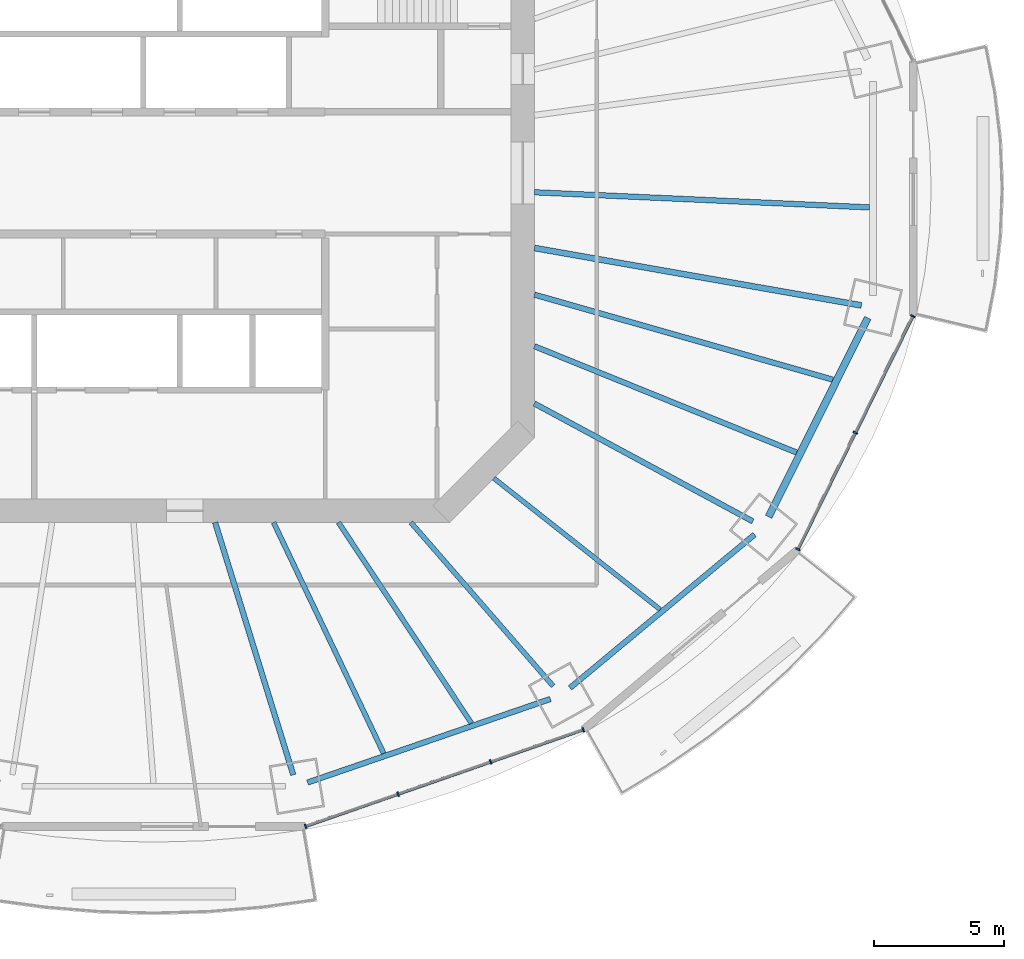
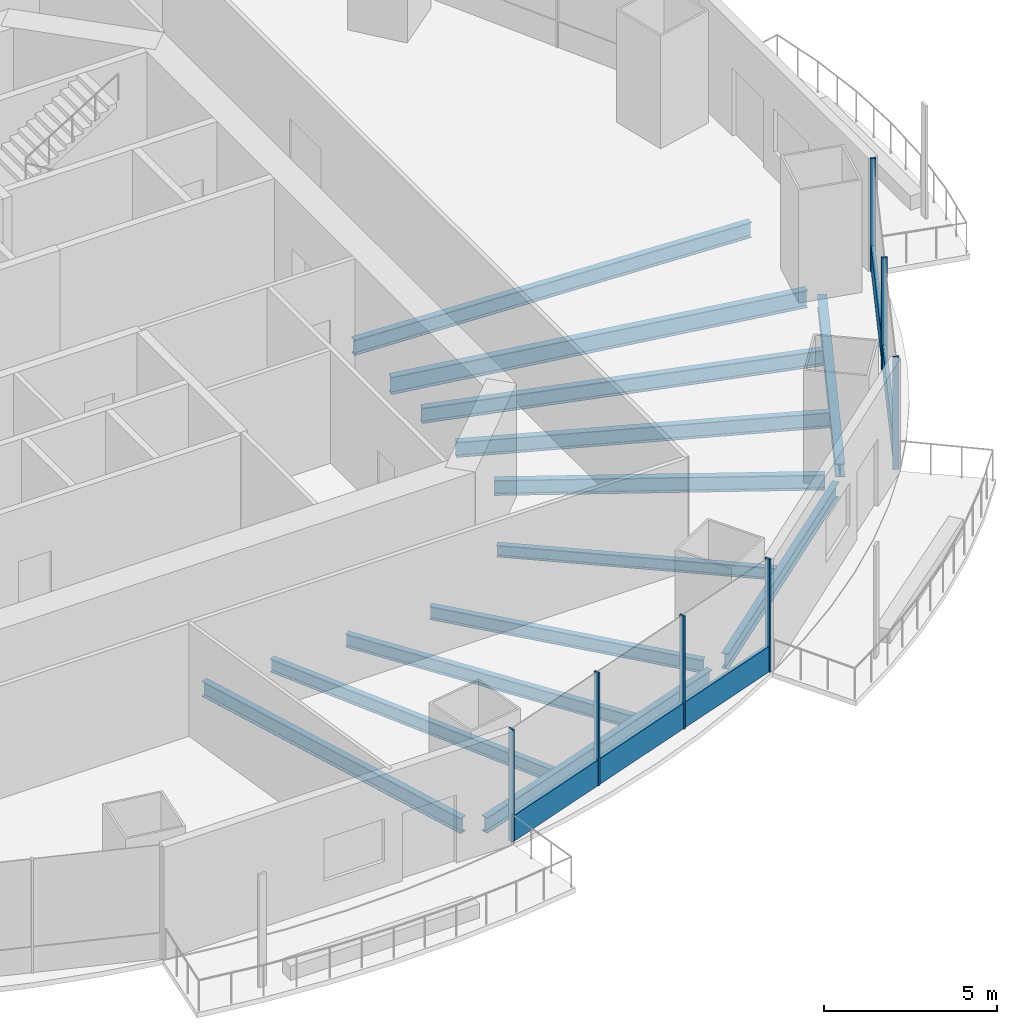
# One storey, part 4 of 19: 13 beams, 9 members, 2 elements without a shape of their own.
"""IFC4 building model written with IfcOpenShell, lengths in metres."""

import ifcopenshell
import ifcopenshell.guid

model = None  # the IFC model being written
_history = None  # IfcOwnerHistory: only IFC2X3 demands one
_inside = {}  # id of a spatial element -> (the spatial element, [elements in it])
_under = {}  # id of a project, library or spatial element -> (it, [spatial elements below it])
_declared = {}  # id of a project -> (the project, [libraries it declares])
_typed = {}  # id of a type object -> (the type object, [elements of that type])
_made_of = {}  # id of a material, layer set ... -> (it, [elements and type objects made of it])


def new_model(schema):
    """Start an empty IFC model of exactly this schema.

    Asked for "IFC4X3", IfcOpenShell would pick the latest addendum, in which some entities
    have other attributes; the version numbers below select the first issue.
    IFC2X3 requires an IfcOwnerHistory on every rooted entity: one is made here for all.
    """
    global model, _history
    if schema == "IFC4X3":
        model = ifcopenshell.file(schema_version=(4, 3, 0, 0))
    else:
        model = ifcopenshell.file(schema=schema)
    _inside.clear()
    _under.clear()
    _declared.clear()
    _typed.clear()
    _made_of.clear()
    _history = None
    if model.schema == "IFC2X3":
        org = make("IfcOrganization", Name="unknown")
        user = make(
            "IfcPersonAndOrganization",
            ThePerson=make("IfcPerson", FamilyName="unknown"),
            TheOrganization=org,
        )
        app = make(
            "IfcApplication",
            ApplicationDeveloper=org,
            Version="unknown",
            ApplicationFullName="unknown",
            ApplicationIdentifier="unknown",
        )
        _history = make(
            "IfcOwnerHistory",
            OwningUser=user,
            OwningApplication=app,
            ChangeAction="ADDED",
            CreationDate=0,
        )
    return model


def make(cls, **values):
    """One entity of the class cls with the attributes given. An attribute that is None is left unset."""
    return model.create_entity(
        cls, **{name: value for name, value in values.items() if value is not None}
    )


def rooted(cls, **values):
    """An entity with a GlobalId (a new one), such as an element, a storey or a relation."""
    return make(cls, GlobalId=ifcopenshell.guid.new(), OwnerHistory=_history, **values)


def si_unit(unit_type, name, prefix=None):
    """IfcSIUnit, for example si_unit("LENGTHUNIT", "METRE", prefix="MILLI")."""
    return make("IfcSIUnit", UnitType=unit_type, Prefix=prefix, Name=name)


def assignment(units):
    """IfcUnitAssignment: the units of a project."""
    return None if units is None else make("IfcUnitAssignment", Units=units)


def point(xyz):
    """IfcCartesianPoint."""
    return None if xyz is None else make("IfcCartesianPoint", Coordinates=xyz)


def direction(xyz):
    """IfcDirection."""
    return None if xyz is None else make("IfcDirection", DirectionRatios=xyz)


def frame(location, z_axis=None, x_axis=None):
    """IfcAxis2Placement3D, a coordinate frame: its origin and axes. An axis left out is left unset."""
    return make(
        "IfcAxis2Placement3D",
        Location=point(location),
        Axis=direction(z_axis),
        RefDirection=direction(x_axis),
    )


def frame_2d(location, x_axis=None):
    """IfcAxis2Placement2D, a coordinate frame in the plane: its origin and x axis."""
    return make(
        "IfcAxis2Placement2D", Location=point(location), RefDirection=direction(x_axis)
    )


def origin():
    """The frame at (0, 0, 0) with its axes left unset."""
    return frame((0.0, 0.0, 0.0))


def origin_2d():
    """The frame at (0, 0) in the plane with its x axis left unset."""
    return frame_2d((0.0, 0.0))


def place(relative_to, where):
    """IfcLocalPlacement: puts the frame where relative to a parent placement (None: the world)."""
    return make(
        "IfcLocalPlacement", PlacementRelTo=relative_to, RelativePlacement=where
    )


def context(
    kind, dimensions, precision=None, world=None, true_north=None, identifier=None
):
    """IfcGeometricRepresentationContext, for example the 3D "Model" context."""
    return make(
        "IfcGeometricRepresentationContext",
        ContextIdentifier=identifier,
        ContextType=kind,
        CoordinateSpaceDimension=dimensions,
        Precision=precision,
        WorldCoordinateSystem=world,
        TrueNorth=true_north,
    )


def subcontext(parent, identifier, kind, view, scale=None):
    """IfcGeometricRepresentationSubContext, for example "Body" below "Model"."""
    return make(
        "IfcGeometricRepresentationSubContext",
        ContextIdentifier=identifier,
        ContextType=kind,
        ParentContext=parent,
        TargetScale=scale,
        TargetView=view,
    )


def project(units=None, contexts=None):
    """IfcProject with its units and contexts."""
    return rooted(
        "IfcProject",
        Name="project",
        RepresentationContexts=contexts,
        UnitsInContext=assignment(units),
    )


def spatial(cls, under=None, at=None, **own):
    """A site, building, storey or space (cls), placed at a placement, below another one or the project."""
    s = rooted(cls, ObjectPlacement=at, **own)
    if under is not None:
        _under.setdefault(under.id(), (under, []))[1].append(s)
    return s


def profile(cls, at=None, kind="AREA", **sizes):
    """A parametric profile (cls). Its sizes go by their IFC names, for example OverallWidth=200.0."""
    return make(cls, ProfileType=kind, Position=at, **sizes)


def rectangle(**sizes):
    """IfcRectangleProfileDef."""
    return profile("IfcRectangleProfileDef", **sizes)


def i_section(**sizes):
    """IfcIShapeProfileDef."""
    return profile("IfcIShapeProfileDef", **sizes)


def extrude(swept, where, along, depth):
    """IfcExtrudedAreaSolid: the profile swept, set in the frame where, extruded along a direction by depth."""
    return make(
        "IfcExtrudedAreaSolid",
        SweptArea=swept,
        Position=where,
        ExtrudedDirection=direction(along),
        Depth=depth,
    )


def shape(context_of_items, identifier, shape_type, items):
    """IfcShapeRepresentation: the items that make up one representation, for example the "Body"."""
    return make(
        "IfcShapeRepresentation",
        ContextOfItems=context_of_items,
        RepresentationIdentifier=identifier,
        RepresentationType=shape_type,
        Items=items,
    )


def material(Name=None, Category=None):
    """IfcMaterial."""
    return make("IfcMaterial", Name=Name, Category=Category)


def material_profile(
    of_material, cross_section, Name=None, Category=None, Priority=None
):
    """IfcMaterialProfile: a cross section and its material."""
    return make(
        "IfcMaterialProfile",
        Name=Name,
        Material=of_material,
        Profile=cross_section,
        Priority=Priority,
        Category=Category,
    )


def profile_set(profiles, Name=None, composite=None):
    """IfcMaterialProfileSet."""
    return make(
        "IfcMaterialProfileSet",
        Name=Name,
        MaterialProfiles=profiles,
        CompositeProfile=composite,
    )


def made_of(thing, what):
    """Note that an element or type object is made of a material, layer set ...; save() writes the relation."""
    if what is not None:
        _made_of.setdefault(what.id(), (what, []))[1].append(thing)
    return thing


def type_object(cls, material=None, **own):
    """A type object (cls), such as IfcWallType, which elements share."""
    return made_of(rooted(cls, **own), material)


def element(
    cls,
    number,
    at=None,
    inside=None,
    cuts=None,
    type_object=None,
    material=None,
    context=None,
    identifier="Body",
    shape_type=None,
    held_by="IfcProductDefinitionShape",
    body=None,
    shapes=None,
    **own,
):
    """One element of the class cls, such as IfcWall. Its Tag is "e" and its number.

    at: its placement. inside: the storey or other place that contains it. cuts: it is an
    opening in that element (IfcRelVoidsElement). A single representation is given by context,
    identifier, shape_type and body (its items); several are given by shapes. held_by: the class
    of the entity that holds the representations. save() writes the other relations.
    """
    e = rooted(cls, Tag="e%d" % number, ObjectPlacement=at, **own)
    if body is not None:
        shapes = [shape(context, identifier, shape_type, body)]
    if shapes is not None:
        e.Representation = make(held_by, Representations=shapes)
    if inside is not None:
        _inside.setdefault(inside.id(), (inside, []))[1].append(e)
    if cuts is not None:
        rooted(
            "IfcRelVoidsElement", RelatingBuildingElement=cuts, RelatedOpeningElement=e
        )
    if type_object is not None:
        _typed.setdefault(type_object.id(), (type_object, []))[1].append(e)
    return made_of(e, material)


def aggregate(whole, parts):
    """IfcRelAggregates: a whole, such as a stair, and the parts it consists of."""
    return rooted("IfcRelAggregates", RelatingObject=whole, RelatedObjects=parts)


def save(model, path):
    """Write the relations noted so far, then the file.

    IfcRelAggregates (storeys below a building ...), IfcRelContainedInSpatialStructure (elements
    in a storey), IfcRelDefinesByType, IfcRelAssociatesMaterial and IfcRelDeclares: one each for
    every whole, place, type object, material and project.
    """
    for whole, parts in _under.values():
        aggregate(whole, parts)
    for where, things in _inside.values():
        rooted(
            "IfcRelContainedInSpatialStructure",
            RelatedElements=things,
            RelatingStructure=where,
        )
    for kind, things in _typed.values():
        rooted("IfcRelDefinesByType", RelatedObjects=things, RelatingType=kind)
    for what, things in _made_of.values():
        rooted("IfcRelAssociatesMaterial", RelatedObjects=things, RelatingMaterial=what)
    for by, libraries in _declared.values():
        rooted("IfcRelDeclares", RelatingContext=by, RelatedDefinitions=libraries)
    model.write(path)


model = new_model("IFC4")

# Units and contexts
model_context = context("Model", 3, precision=1e-05, world=origin(), true_north=direction((0.0, 1.0)))
body_context = subcontext(model_context, "Body", "Model", "MODEL_VIEW")
ifc_project = project(units=[si_unit("LENGTHUNIT", "METRE"), si_unit("AREAUNIT", "SQUARE_METRE"), si_unit("VOLUMEUNIT", "CUBIC_METRE"), si_unit("PLANEANGLEUNIT", "RADIAN"), si_unit("MASSUNIT", "GRAM", prefix="KILO")], contexts=[model_context])

# Site, building, storey
site_placement = place(None, origin())
site = spatial("IfcSite", under=ifc_project, at=site_placement, CompositionType="ELEMENT")
building_placement = place(site_placement, origin())
building = spatial("IfcBuilding", under=site, at=building_placement, Name="Marenthal Gate Tower", CompositionType="ELEMENT")
storey_placement = place(building_placement, frame((0.0, 0.0, 256.5)))
storey = spatial("IfcBuildingStorey", under=building, at=storey_placement, Name="L57", CompositionType="ELEMENT", Elevation=256.5)

# Curtain wall, members
ifc_material_1 = material(Name="Aluminium and glass", Category="aluminium")
curtain_wall_type = type_object("IfcCurtainWallType", Name="Curtain wall typical mid", PredefinedType="NOTDEFINED", material=ifc_material_1)
curtain_wall_1_placement = place(storey_placement, origin())
curtain_wall_1 = element("IfcCurtainWall", 1, at=curtain_wall_1_placement, inside=storey, type_object=curtain_wall_type, Name="Curtain wall L57 bay 13", PredefinedType="NOTDEFINED")
ifc_material_2 = material(Name="Aluminium", Category="aluminium")
ifc_material_profile_1 = material_profile(ifc_material_2, rectangle(XDim=0.179931640625, YDim=0.06005859375, at=origin_2d()), Name="60x180 aluminium mullion")
ifc_profile_set_1 = profile_set([ifc_material_profile_1], Name="Aluminium")
member_type_1 = type_object("IfcMemberType", Name="Mullion 60x180 typical mid", PredefinedType="MULLION", material=ifc_profile_set_1)
member_1_placement = place(storey_placement, frame((7.642578125, -25.14306640625, 0.0), z_axis=(0.0, 0.0, 1.0), x_axis=(-0.328612003593, 0.944465007872, 0.0)))
member_1 = element("IfcMember", 2, at=member_1_placement, type_object=member_type_1, Name="Mullion L57 bay 13.1", PredefinedType="MULLION", context=body_context, shape_type="SweptSolid", body=[
    extrude(rectangle(XDim=0.179931640625, YDim=0.06005859375, at=origin_2d()), origin(), (0.0, 0.0, 1.0), 3.969970703125),
])
member_2_placement = place(storey_placement, frame((11.204833984375, -23.90380859375, 0.0), z_axis=(0.0, 0.0, 1.0), x_axis=(-0.328612003593, 0.944465007872, 0.0)))
member_2 = element("IfcMember", 3, at=member_2_placement, type_object=member_type_1, Name="Mullion L57 bay 13.2", PredefinedType="MULLION", context=body_context, shape_type="SweptSolid", body=[
    extrude(rectangle(XDim=0.179931640625, YDim=0.06005859375, at=origin_2d()), origin(), (0.0, 0.0, 1.0), 3.969970703125),
])
member_3_placement = place(storey_placement, frame((14.76708984375, -22.664306640625, 0.0), z_axis=(0.0, 0.0, 1.0), x_axis=(-0.328612003593, 0.944465007872, 0.0)))
member_3 = element("IfcMember", 4, at=member_3_placement, type_object=member_type_1, Name="Mullion L57 bay 13.3", PredefinedType="MULLION", context=body_context, shape_type="SweptSolid", body=[
    extrude(rectangle(XDim=0.179931640625, YDim=0.06005859375, at=origin_2d()), origin(), (0.0, 0.0, 1.0), 3.969970703125),
])
member_4_placement = place(storey_placement, frame((18.329345703125, -21.4248046875, 0.0), z_axis=(0.0, 0.0, 1.0), x_axis=(-0.328612003593, 0.944465007872, 0.0)))
member_4 = element("IfcMember", 5, at=member_4_placement, type_object=member_type_1, Name="Mullion L57 bay 13.4", PredefinedType="MULLION", context=body_context, shape_type="SweptSolid", body=[
    extrude(rectangle(XDim=0.179931640625, YDim=0.06005859375, at=origin_2d()), origin(), (0.0, 0.0, 1.0), 3.969970703125),
])

curtain_wall_2_placement = place(storey_placement, origin())
curtain_wall_2 = element("IfcCurtainWall", 6, at=curtain_wall_2_placement, inside=storey, type_object=curtain_wall_type, Name="Curtain wall L57 bay 15", PredefinedType="NOTDEFINED")
member_5_placement = place(storey_placement, frame((26.593505859375, -14.481201171875, 0.0), z_axis=(0.0, 0.0, 1.0), x_axis=(-0.896882319585, 0.44226926732, 0.0)))
member_5 = element("IfcMember", 7, at=member_5_placement, type_object=member_type_1, Name="Mullion L57 bay 15.1", PredefinedType="MULLION", context=body_context, shape_type="SweptSolid", body=[
    extrude(rectangle(XDim=0.179931640625, YDim=0.06005859375, at=origin_2d()), origin(), (0.0, 0.0, 1.0), 3.969970703125),
])
member_6_placement = place(storey_placement, frame((28.805419921875, -9.99609375, 0.0), z_axis=(0.0, 0.0, 1.0), x_axis=(-0.896882319585, 0.44226926732, 0.0)))
member_6 = element("IfcMember", 8, at=member_6_placement, type_object=member_type_1, Name="Mullion L57 bay 15.2", PredefinedType="MULLION", context=body_context, shape_type="SweptSolid", body=[
    extrude(rectangle(XDim=0.179931640625, YDim=0.06005859375, at=origin_2d()), origin(), (0.0, 0.0, 1.0), 3.969970703125),
])
member_7_placement = place(storey_placement, frame((31.01708984375, -5.5107421875, 0.0), z_axis=(0.0, 0.0, 1.0), x_axis=(-0.896882319585, 0.44226926732, 0.0)))
member_7 = element("IfcMember", 9, at=member_7_placement, type_object=member_type_1, Name="Mullion L57 bay 15.3", PredefinedType="MULLION", context=body_context, shape_type="SweptSolid", body=[
    extrude(rectangle(XDim=0.179931640625, YDim=0.06005859375, at=origin_2d()), origin(), (0.0, 0.0, 1.0), 3.969970703125),
])

# Member
ifc_material_3 = material(Name="Aluminium", Category="aluminium")
ifc_material_profile_2 = material_profile(ifc_material_3, rectangle(XDim=0.1201171875, YDim=0.89990234375, at=origin_2d()), Name="120x900 aluminium transom")
ifc_profile_set_2 = profile_set([ifc_material_profile_2], Name="Aluminium")
member_type_2 = type_object("IfcMemberType", Name="Transom 120x900 typical mid", PredefinedType="USERDEFINED", material=ifc_profile_set_2)
member_8_placement = place(storey_placement, frame((7.6708984375, -25.13330078125, 0.449951171875), z_axis=(0.944467822316, 0.328603914477, 0.0), x_axis=(-0.328603914477, 0.944467822316, 0.0)))
member_8 = element("IfcMember", 10, at=member_8_placement, type_object=member_type_2, Name="Transom L57 bay 13", ObjectType="TRANSOM", PredefinedType="USERDEFINED", context=body_context, shape_type="SweptSolid", body=[
    extrude(rectangle(XDim=0.1201171875, YDim=0.89990234375, at=origin_2d()), origin(), (0.0, 0.0, 1.0), 11.255126953125),
])

aggregate(curtain_wall_1, [member_1, member_2, member_3, member_4, member_8])

member_9_placement = place(storey_placement, frame((26.60693359375, -14.454345703125, 0.449951171875), z_axis=(0.442255953319, 0.896888884842, 0.0), x_axis=(-0.896888884842, 0.442255953319, 0.0)))
member_9 = element("IfcMember", 11, at=member_9_placement, type_object=member_type_2, Name="Transom L57 bay 15", ObjectType="TRANSOM", PredefinedType="USERDEFINED", context=body_context, shape_type="SweptSolid", body=[
    extrude(rectangle(XDim=0.1201171875, YDim=0.89990234375, at=origin_2d()), origin(), (0.0, 0.0, 1.0), 9.941650390625),
])

aggregate(curtain_wall_2, [member_5, member_6, member_7, member_9])

# Beams
ifc_material_4 = material(Name="Steel S355", Category="steel")
ifc_material_profile_3 = material_profile(ifc_material_4, i_section(OverallWidth=0.180908203125, OverallDepth=0.4169921875, WebThickness=0.010986328125, FlangeThickness=0.018310546875, FilletRadius=0.01025390625, at=origin_2d()), Name="W410X85")
ifc_profile_set_3 = profile_set([ifc_material_profile_3], Name="Steel S355")
beam_type_1 = type_object("IfcBeamType", Name="W410X85 beam", PredefinedType="BEAM", material=ifc_profile_set_3)
beam_1_placement = place(storey_placement, frame((21.2880859375, -16.798583984375, -0.388427734375), z_axis=(-0.785017659508, 0.619473384626, 0.0), x_axis=(-0.619473384626, -0.785017659508, 0.0)))
element("IfcBeam", 12, at=beam_1_placement, inside=storey, type_object=beam_type_1, Name="BM-L57-37", PredefinedType="BEAM", context=body_context, shape_type="SweptSolid", body=[
    extrude(i_section(OverallWidth=0.180908203125, OverallDepth=0.4169921875, WebThickness=0.010986328125, FlangeThickness=0.018310546875, FilletRadius=0.01025390625, at=origin_2d()), origin(), (0.0, 0.0, 1.0), 8.152587890625),
])
ifc_material_5 = material(Name="Steel S355", Category="steel")
ifc_material_profile_4 = material_profile(ifc_material_5, i_section(OverallWidth=0.279052734375, OverallDepth=0.4619140625, WebThickness=0.0107421875, FlangeThickness=0.017333984375, FilletRadius=0.010009765625, at=origin_2d()), Name="W460X113")
ifc_profile_set_4 = profile_set([ifc_material_profile_4], Name="Steel S355")
beam_type_2 = type_object("IfcBeamType", Name="W460X113 beam", PredefinedType="BEAM", material=ifc_profile_set_4)
beam_2_placement = place(storey_placement, frame((25.4658203125, -13.23046875, -0.410888671875), z_axis=(0.446105412594, 0.894980424844, 0.0), x_axis=(-0.894980424844, 0.446105412594, 0.0)))
element("IfcBeam", 13, at=beam_2_placement, inside=storey, type_object=beam_type_2, Name="BM-L57-55", PredefinedType="BEAM", context=body_context, shape_type="SweptSolid", body=[
    extrude(i_section(OverallWidth=0.279052734375, OverallDepth=0.4619140625, WebThickness=0.0107421875, FlangeThickness=0.017333984375, FilletRadius=0.010009765625, at=origin_2d()), origin(), (0.0, 0.0, 1.0), 8.550537109375),
])
ifc_material_6 = material(Name="Steel S355", Category="steel")
ifc_material_profile_5 = material_profile(ifc_material_6, i_section(OverallWidth=0.193115234375, OverallDepth=0.467041015625, WebThickness=0.011474609375, FlangeThickness=0.01904296875, FilletRadius=0.010009765625, at=origin_2d()), Name="W460X97")
ifc_profile_set_5 = profile_set([ifc_material_profile_5], Name="Steel S355")
beam_type_3 = type_object("IfcBeamType", Name="W460X97 beam", PredefinedType="BEAM", material=ifc_profile_set_5)
beam_3_placement = place(storey_placement, frame((17.1708984375, -19.745849609375, -0.41357421875), z_axis=(-0.656189581621, 0.754596072725, 0.0), x_axis=(-0.754596072725, -0.656189581621, 0.0)))
element("IfcBeam", 14, at=beam_3_placement, inside=storey, type_object=beam_type_3, Name="BM-L57-14", PredefinedType="BEAM", context=body_context, shape_type="SweptSolid", body=[
    extrude(i_section(OverallWidth=0.193115234375, OverallDepth=0.467041015625, WebThickness=0.011474609375, FlangeThickness=0.01904296875, FilletRadius=0.010009765625, at=origin_2d()), origin(), (0.0, 0.0, 1.0), 8.343505859375),
])
beam_4_placement = place(storey_placement, frame((10.6513671875, -22.339599609375, -0.41357421875), z_axis=(-0.430377134493, 0.902649168894, 0.0), x_axis=(-0.902649168894, -0.430377134493, 0.0)))
element("IfcBeam", 15, at=beam_4_placement, inside=storey, type_object=beam_type_3, Name="BM-L57-35", PredefinedType="BEAM", context=body_context, shape_type="SweptSolid", body=[
    extrude(i_section(OverallWidth=0.193115234375, OverallDepth=0.467041015625, WebThickness=0.011474609375, FlangeThickness=0.01904296875, FilletRadius=0.010009765625, at=origin_2d()), origin(), (0.0, 0.0, 1.0), 9.848388671875),
])
beam_5_placement = place(storey_placement, frame((14.028076171875, -21.17724609375, -0.41357421875), z_axis=(-0.552242092317, 0.833683795856, 0.0), x_axis=(-0.833683795856, -0.552242092317, 0.0)))
element("IfcBeam", 16, at=beam_5_placement, inside=storey, type_object=beam_type_3, Name="BM-L57-36", PredefinedType="BEAM", context=body_context, shape_type="SweptSolid", body=[
    extrude(i_section(OverallWidth=0.193115234375, OverallDepth=0.467041015625, WebThickness=0.011474609375, FlangeThickness=0.01904296875, FilletRadius=0.010009765625, at=origin_2d()), origin(), (0.0, 0.0, 1.0), 9.268798828125),
])
ifc_material_7 = material(Name="Steel S355", Category="steel")
ifc_material_profile_6 = material_profile(ifc_material_7, i_section(OverallWidth=0.2099609375, OverallDepth=0.535888671875, WebThickness=0.010986328125, FlangeThickness=0.017333984375, FilletRadius=0.0126953125, at=origin_2d()), Name="W530X101")
ifc_profile_set_6 = profile_set([ifc_material_profile_6], Name="Steel S355")
beam_type_4 = type_object("IfcBeamType", Name="W530X101 beam", PredefinedType="BEAM", material=ifc_profile_set_6)
beam_6_placement = place(storey_placement, frame((24.8564453125, -13.408935546875, -0.447998046875), z_axis=(-0.880106434399, 0.474776435947, 0.0), x_axis=(-0.474776435947, -0.880106434399, 0.0)))
element("IfcBeam", 17, at=beam_6_placement, inside=storey, type_object=beam_type_4, Name="BM-L57-15", PredefinedType="BEAM", context=body_context, shape_type="SweptSolid", body=[
    extrude(i_section(OverallWidth=0.2099609375, OverallDepth=0.535888671875, WebThickness=0.010986328125, FlangeThickness=0.017333984375, FilletRadius=0.0126953125, at=origin_2d()), origin(), (0.0, 0.0, 1.0), 9.5517578125),
])
beam_7_placement = place(storey_placement, frame((26.541748046875, -10.759521484375, -0.447998046875), z_axis=(-0.92674580837, 0.375688975974, 0.0), x_axis=(-0.375688975974, -0.92674580837, 0.0)))
element("IfcBeam", 18, at=beam_7_placement, inside=storey, type_object=beam_type_4, Name="BM-L57-38", PredefinedType="BEAM", context=body_context, shape_type="SweptSolid", body=[
    extrude(i_section(OverallWidth=0.2099609375, OverallDepth=0.535888671875, WebThickness=0.010986328125, FlangeThickness=0.017333984375, FilletRadius=0.0126953125, at=origin_2d()), origin(), (0.0, 0.0, 1.0), 10.889404296875),
])
ifc_material_8 = material(Name="Steel S355", Category="steel")
ifc_material_profile_7 = material_profile(ifc_material_8, i_section(OverallWidth=0.2119140625, OverallDepth=0.5439453125, WebThickness=0.01318359375, FlangeThickness=0.021240234375, FilletRadius=0.0126953125, at=origin_2d()), Name="W530X123")
ifc_profile_set_7 = profile_set([ifc_material_profile_7], Name="Steel S355")
beam_type_5 = type_object("IfcBeamType", Name="W530X123 beam", PredefinedType="BEAM", material=ifc_profile_set_7)
beam_8_placement = place(storey_placement, frame((7.17041015625, -23.164794921875, -0.451904296875), z_axis=(-0.295715024852, 0.955276203031, 0.0), x_axis=(-0.955276203031, -0.295715024852, 0.0)))
element("IfcBeam", 19, at=beam_8_placement, inside=storey, type_object=beam_type_5, Name="BM-L57-13", PredefinedType="BEAM", context=body_context, shape_type="SweptSolid", body=[
    extrude(i_section(OverallWidth=0.2119140625, OverallDepth=0.5439453125, WebThickness=0.01318359375, FlangeThickness=0.021240234375, FilletRadius=0.0126953125, at=origin_2d()), origin(), (0.0, 0.0, 1.0), 10.169677734375),
])
beam_9_placement = place(storey_placement, frame((27.939453125, -7.955078125, -0.451904296875), z_axis=(-0.961771880099, 0.273851877209, 0.0), x_axis=(-0.273851877209, -0.961771880099, 0.0)))
element("IfcBeam", 20, at=beam_9_placement, inside=storey, type_object=beam_type_5, Name="BM-L57-39", PredefinedType="BEAM", context=body_context, shape_type="SweptSolid", body=[
    extrude(i_section(OverallWidth=0.2119140625, OverallDepth=0.5439453125, WebThickness=0.01318359375, FlangeThickness=0.021240234375, FilletRadius=0.0126953125, at=origin_2d()), origin(), (0.0, 0.0, 1.0), 11.9462890625),
])
beam_10_placement = place(storey_placement, frame((29.34130859375, -1.32568359375, -0.451904296875), z_axis=(-0.998981489101, 0.045121884202, 0.0), x_axis=(-0.045121884202, -0.998981489101, 0.0)))
element("IfcBeam", 21, at=beam_10_placement, inside=storey, type_object=beam_type_5, Name="BM-L57-40", PredefinedType="BEAM", context=body_context, shape_type="SweptSolid", body=[
    extrude(i_section(OverallWidth=0.2119140625, OverallDepth=0.5439453125, WebThickness=0.01318359375, FlangeThickness=0.021240234375, FilletRadius=0.0126953125, at=origin_2d()), origin(), (0.0, 0.0, 1.0), 12.904541015625),
])
beam_11_placement = place(storey_placement, frame((7.72021484375, -23.460693359375, -0.451904296875), z_axis=(0.945555035824, 0.325462247007, 0.0), x_axis=(-0.325462247007, 0.945555035824, 0.0)))
element("IfcBeam", 22, at=beam_11_placement, inside=storey, type_object=beam_type_5, Name="BM-L57-53", PredefinedType="BEAM", context=body_context, shape_type="SweptSolid", body=[
    extrude(i_section(OverallWidth=0.2119140625, OverallDepth=0.5439453125, WebThickness=0.01318359375, FlangeThickness=0.021240234375, FilletRadius=0.0126953125, at=origin_2d()), origin(), (0.0, 0.0, 1.0), 9.88232421875),
])
beam_12_placement = place(storey_placement, frame((17.8193359375, -19.819091796875, -0.451904296875), z_axis=(0.769104243953, 0.639123354239, 0.0), x_axis=(-0.639123354239, 0.769104243953, 0.0)))
element("IfcBeam", 23, at=beam_12_placement, inside=storey, type_object=beam_type_5, Name="BM-L57-54", PredefinedType="BEAM", context=body_context, shape_type="SweptSolid", body=[
    extrude(i_section(OverallWidth=0.2119140625, OverallDepth=0.5439453125, WebThickness=0.01318359375, FlangeThickness=0.021240234375, FilletRadius=0.0126953125, at=origin_2d()), origin(), (0.0, 0.0, 1.0), 9.2392578125),
])
ifc_material_9 = material(Name="Steel S355", Category="steel")
ifc_material_profile_8 = material_profile(ifc_material_9, i_section(OverallWidth=0.22900390625, OverallDepth=0.612060546875, WebThickness=0.011962890625, FlangeThickness=0.01953125, FilletRadius=0.0126953125, at=origin_2d()), Name="W610X125")
ifc_profile_set_8 = profile_set([ifc_material_profile_8], Name="Steel S355")
beam_type_6 = type_object("IfcBeamType", Name="W610X125 beam", PredefinedType="BEAM", material=ifc_profile_set_8)
beam_13_placement = place(storey_placement, frame((29.035888671875, -5.097412109375, -0.486083984375), z_axis=(-0.984938192619, 0.17290678622, 0.0), x_axis=(-0.17290678622, -0.984938192619, 0.0)))
element("IfcBeam", 24, at=beam_13_placement, inside=storey, type_object=beam_type_6, Name="BM-L57-16", PredefinedType="BEAM", context=body_context, shape_type="SweptSolid", body=[
    extrude(i_section(OverallWidth=0.22900390625, OverallDepth=0.612060546875, WebThickness=0.011962890625, FlangeThickness=0.01953125, FilletRadius=0.0126953125, at=origin_2d()), origin(), (0.0, 0.0, 1.0), 12.7783203125),
])

save(model, "model.ifc")
